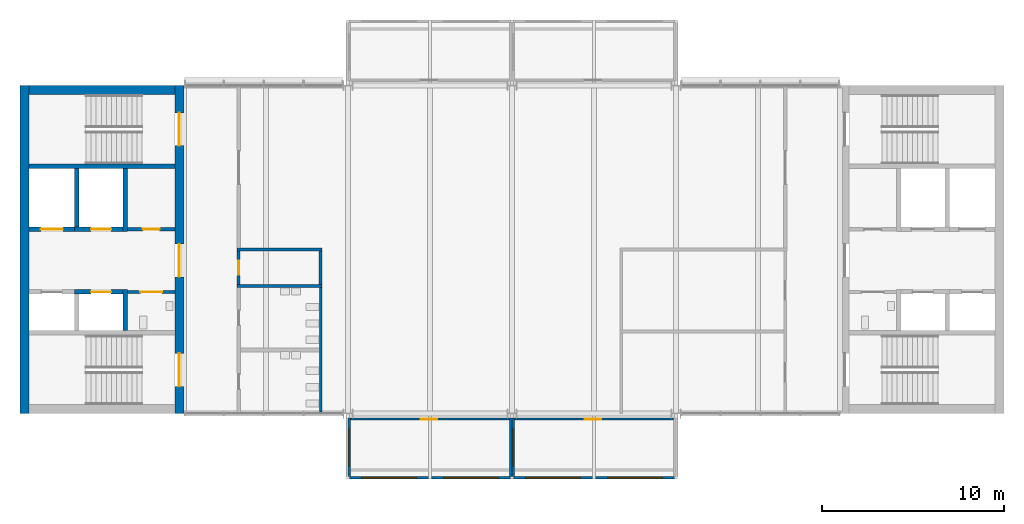
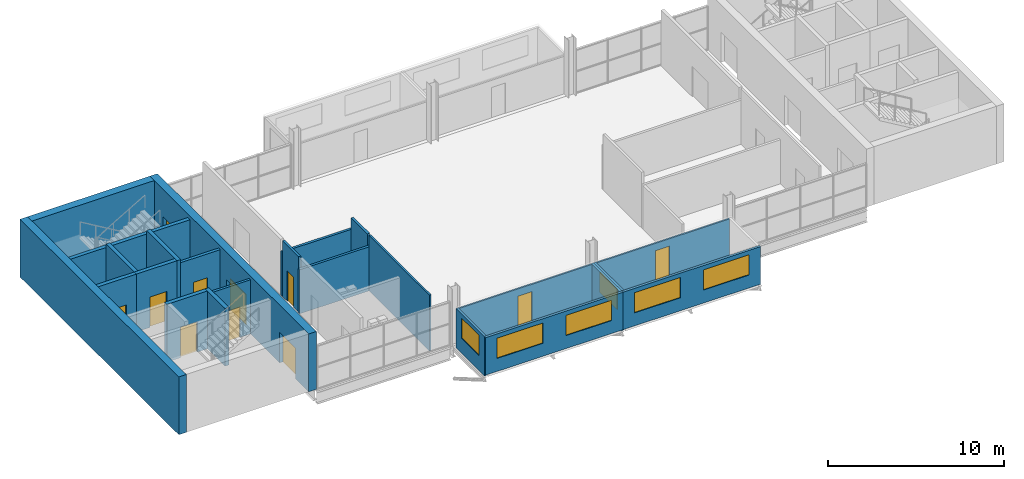
# One storey, part 5 of 10: 24 walls, 11 doors, 6 windows, 17 openings.
"""IFC4 building model written with IfcOpenShell, lengths in metres."""

from ifc_helpers import new_model, si_unit, direction, frame, frame_2d, origin, place, context, subcontext, project, spatial, rectangle, extrude, material, layer, layer_set, type_object, element, fill, save


model = new_model("IFC4")

# Units and contexts
model_context = context("Model", 3, precision=1e-05, world=origin(), true_north=direction((0.0, 1.0)))
body_context = subcontext(model_context, "Body", "Model", "MODEL_VIEW")
ifc_project = project(units=[si_unit("LENGTHUNIT", "METRE"), si_unit("AREAUNIT", "SQUARE_METRE"), si_unit("VOLUMEUNIT", "CUBIC_METRE"), si_unit("PLANEANGLEUNIT", "RADIAN"), si_unit("MASSUNIT", "GRAM", prefix="KILO")], contexts=[model_context])

# Site, building, storey
site_placement = place(None, origin())
site = spatial("IfcSite", under=ifc_project, at=site_placement, CompositionType="ELEMENT")
building_placement = place(site_placement, origin())
building = spatial("IfcBuilding", under=site, at=building_placement, Name="Corbel Yard City Hall", CompositionType="ELEMENT")
storey_placement = place(building_placement, frame((0.0, 0.0, 19.199951171875)))
storey = spatial("IfcBuildingStorey", under=building, at=storey_placement, Name="L04", CompositionType="ELEMENT", Elevation=19.199951171875)

# Walls
ifc_material_1 = material(Name="Concrete N40 (40 MPa)", Category="concrete")
ifc_layer_1 = layer(ifc_material_1, 0.25)
ifc_layer_set_1 = layer_set([ifc_layer_1], Name="Concrete N40 (40 MPa)")
wall_type_1 = type_object("IfcWallType", Name="IW2", PredefinedType="SOLIDWALL", material=ifc_layer_set_1)
wall_1_placement = place(storey_placement, frame((8.5, 112.574951171875, 0.0), z_axis=(0.0, 0.0, 1.0), x_axis=(-1.0, 0.0, 0.0)))
element("IfcWall", 1, at=wall_1_placement, inside=storey, type_object=wall_type_1, Name="Stair enclosure wall", PredefinedType="SOLIDWALL", context=body_context, shape_type="SweptSolid", body=[
    extrude(rectangle(XDim=8.0, YDim=0.25, at=frame_2d((4.0, 0.0))), origin(), (0.0, 0.0, 1.0), 3.75),
])
wall_2_placement = place(storey_placement, frame((5.77490234375, 103.550048828125, 0.0), z_axis=(0.0, 0.0, 1.0), x_axis=(0.0, 1.0, 0.0)))
element("IfcWall", 2, at=wall_2_placement, inside=storey, type_object=wall_type_1, Name="Lift LP22 shaft wall", PredefinedType="SOLIDWALL", context=body_context, shape_type="SweptSolid", body=[
    extrude(rectangle(XDim=2.25, YDim=0.25, at=frame_2d((1.125, 0.0))), origin(), (0.0, 0.0, 1.0), 4.0),
])

# Wall, opening, door
wall_3_placement = place(storey_placement, frame((5.64990234375, 105.675048828125, 0.0), z_axis=(0.0, 0.0, 1.0), x_axis=(-1.0, 0.0, 0.0)))
wall_3 = element("IfcWall", 3, at=wall_3_placement, inside=storey, type_object=wall_type_1, Name="Lift LP22 shaft wall", PredefinedType="SOLIDWALL", context=body_context, shape_type="SweptSolid", body=[
    extrude(rectangle(XDim=2.64990234375, YDim=0.25, at=frame_2d((1.324951171875, 0.0))), origin(), (0.0, 0.0, 1.0), 4.0),
])
opening_1_placement = place(wall_3_placement, frame((0.64990234375, 0.0, 0.0)))
opening_1 = element("IfcOpeningElement", 4, at=opening_1_placement, cuts=wall_3, Name="Opening T1-005", PredefinedType="OPENING", context=body_context, shape_type="SweptSolid", body=[
    extrude(rectangle(XDim=1.10009765625, YDim=2.10009765625, at=frame_2d((0.550048828125, 1.050048828125))), frame((0.0, 0.135009765625, 0.0), z_axis=(0.0, -1.0, 0.0), x_axis=(1.0, 0.0, 0.0)), (0.0, 0.0, 1.0), 0.27001953125),
])
ifc_material_2 = material(Name="Stainless steel Grade 316", Category="steel")
door_type_1 = type_object("IfcDoorType", Name="LD1", OperationType="DOUBLE_DOOR_SLIDING", PredefinedType="DOOR", material=ifc_material_2)
door_1_placement = place(opening_1_placement, origin())
door_1 = element("IfcDoor", 5, at=door_1_placement, inside=storey, type_object=door_type_1, Name="Lift LP22 landing door", OperationType="DOUBLE_DOOR_SLIDING", OverallHeight=2.10009765625, OverallWidth=1.10009765625, PredefinedType="DOOR", context=body_context, shape_type="SweptSolid", body=[
    extrude(rectangle(XDim=1.10009765625, YDim=2.10009765625, at=frame_2d((0.550048828125, 1.050048828125))), frame((0.0, 0.02490234375, 0.0), z_axis=(0.0, -1.0, 0.0), x_axis=(1.0, 0.0, 0.0)), (0.0, 0.0, 1.0), 0.050048828125),
])
fill(opening_1, door_1)

# Walls
wall_4_placement = place(storey_placement, frame((5.77490234375, 109.0, 0.0), z_axis=(0.0, 0.0, 1.0), x_axis=(0.0, 1.0, 0.0)))
element("IfcWall", 6, at=wall_4_placement, inside=storey, type_object=wall_type_1, Name="Lift LP24 shaft wall", PredefinedType="SOLIDWALL", context=body_context, shape_type="SweptSolid", body=[
    extrude(rectangle(XDim=3.449951171875, YDim=0.25, at=frame_2d((1.72509765625, 0.0))), origin(), (0.0, 0.0, 1.0), 4.0),
])
wall_5_placement = place(storey_placement, frame((3.125, 109.25, 0.0), z_axis=(0.0, 0.0, 1.0), x_axis=(0.0, 1.0, 0.0)))
element("IfcWall", 7, at=wall_5_placement, inside=storey, type_object=wall_type_1, Name="Lift LP24 shaft wall", PredefinedType="SOLIDWALL", context=body_context, shape_type="SweptSolid", body=[
    extrude(rectangle(XDim=3.199951171875, YDim=0.25, at=frame_2d((1.60009765625, 0.0))), origin(), (0.0, 0.0, 1.0), 4.0),
])

# Wall, opening, door
wall_6_placement = place(storey_placement, frame((5.64990234375, 109.125, 0.0), z_axis=(0.0, 0.0, 1.0), x_axis=(-1.0, 0.0, 0.0)))
wall_6 = element("IfcWall", 8, at=wall_6_placement, inside=storey, type_object=wall_type_1, Name="Lift LP24 shaft wall", PredefinedType="SOLIDWALL", context=body_context, shape_type="SweptSolid", body=[
    extrude(rectangle(XDim=2.64990234375, YDim=0.25, at=frame_2d((1.324951171875, 0.0))), origin(), (0.0, 0.0, 1.0), 4.0),
])
opening_2_placement = place(wall_6_placement, frame((0.64990234375, 0.0, 0.0)))
opening_2 = element("IfcOpeningElement", 9, at=opening_2_placement, cuts=wall_6, Name="Opening T1-007", PredefinedType="OPENING", context=body_context, shape_type="SweptSolid", body=[
    extrude(rectangle(XDim=1.10009765625, YDim=2.10009765625, at=frame_2d((0.550048828125, 1.050048828125))), frame((0.0, 0.135009765625, 0.0), z_axis=(0.0, -1.0, 0.0), x_axis=(1.0, 0.0, 0.0)), (0.0, 0.0, 1.0), 0.27001953125),
])
door_2_placement = place(opening_2_placement, origin())
door_2 = element("IfcDoor", 10, at=door_2_placement, inside=storey, type_object=door_type_1, Name="Lift LP24 landing door", OperationType="DOUBLE_DOOR_SLIDING", OverallHeight=2.10009765625, OverallWidth=1.10009765625, PredefinedType="DOOR", context=body_context, shape_type="SweptSolid", body=[
    extrude(rectangle(XDim=1.10009765625, YDim=2.10009765625, at=frame_2d((0.550048828125, 1.050048828125))), frame((0.0, 0.02490234375, 0.0), z_axis=(0.0, -1.0, 0.0), x_axis=(1.0, 0.0, 0.0)), (0.0, 0.0, 1.0), 0.050048828125),
])
fill(opening_2, door_2)

wall_7_placement = place(storey_placement, frame((3.0, 109.125, 0.0), z_axis=(0.0, 0.0, 1.0), x_axis=(-1.0, 0.0, 0.0)))
wall_7 = element("IfcWall", 11, at=wall_7_placement, inside=storey, type_object=wall_type_1, Name="Lift LF1 shaft wall", PredefinedType="SOLIDWALL", context=body_context, shape_type="SweptSolid", body=[
    extrude(rectangle(XDim=2.5, YDim=0.25, at=frame_2d((1.25, 0.0))), origin(), (0.0, 0.0, 1.0), 4.0),
])
opening_3_placement = place(wall_7_placement, frame((0.64990234375, 0.0, 0.0)))
opening_3 = element("IfcOpeningElement", 12, at=opening_3_placement, cuts=wall_7, Name="Opening T1-008", PredefinedType="OPENING", context=body_context, shape_type="SweptSolid", body=[
    extrude(rectangle(XDim=1.199951171875, YDim=2.10009765625, at=frame_2d((0.60009765625, 1.050048828125))), frame((0.0, 0.135009765625, 0.0), z_axis=(0.0, -1.0, 0.0), x_axis=(1.0, 0.0, 0.0)), (0.0, 0.0, 1.0), 0.27001953125),
])
door_type_2 = type_object("IfcDoorType", Name="LD2", OperationType="DOUBLE_DOOR_SLIDING", PredefinedType="DOOR", material=ifc_material_2)
door_3_placement = place(opening_3_placement, origin())
door_3 = element("IfcDoor", 13, at=door_3_placement, inside=storey, type_object=door_type_2, Name="Lift LF1 landing door", OperationType="DOUBLE_DOOR_SLIDING", OverallHeight=2.10009765625, OverallWidth=1.199951171875, PredefinedType="DOOR", context=body_context, shape_type="SweptSolid", body=[
    extrude(rectangle(XDim=1.199951171875, YDim=2.10009765625, at=frame_2d((0.60009765625, 1.050048828125))), frame((0.0, 0.02490234375, 0.0), z_axis=(0.0, -1.0, 0.0), x_axis=(1.0, 0.0, 0.0)), (0.0, 0.0, 1.0), 0.050048828125),
])
fill(opening_3, door_3)

# Wall, openings, windows
ifc_material_3 = material(Name="Anodised aluminium", Category="aluminium")
ifc_layer_2 = layer(ifc_material_3, 0.02392578125)
ifc_material_4 = material(Name="Steel Grade G550 (550 MPa yield)", Category="steel")
ifc_layer_3 = layer(ifc_material_4, 0.10009765625)
ifc_material_5 = material(Name="Gypsum plasterboard", Category="gypsum")
ifc_layer_4 = layer(ifc_material_5, 0.02587890625)
ifc_layer_set_2 = layer_set([ifc_layer_2, ifc_layer_3, ifc_layer_4], Name="Steel Grade G550 (550 MPa yield)")
wall_type_2 = type_object("IfcWallType", Name="PD1", PredefinedType="SOLIDWALL", material=ifc_layer_set_2)
wall_8_placement = place(storey_placement, frame((18.0, 95.47509765625, 0.0), z_axis=(0.0, 0.0, 1.0), x_axis=(1.0, 0.0, 0.0)))
wall_8 = element("IfcWall", 14, at=wall_8_placement, inside=storey, type_object=wall_type_2, Name="Pod outer wall L04", PredefinedType="SOLIDWALL", context=body_context, shape_type="SweptSolid", body=[
    extrude(rectangle(XDim=9.0, YDim=0.14990234375, at=frame_2d((4.5, 0.0))), origin(), (0.0, 0.0, 1.0), 2.60009765625),
])
opening_4_placement = place(wall_8_placement, frame((0.75, 0.0, 0.89990234375)))
opening_4 = element("IfcOpeningElement", 15, at=opening_4_placement, cuts=wall_8, Name="Opening WN5", PredefinedType="OPENING", context=body_context, shape_type="SweptSolid", body=[
    extrude(rectangle(XDim=3.0, YDim=1.39990234375, at=frame_2d((1.5, 0.699951171875))), frame((0.0, 0.0849609375, 0.0), z_axis=(0.0, -1.0, 0.0), x_axis=(1.0, 0.0, 0.0)), (0.0, 0.0, 1.0), 0.169921875),
])
opening_5_placement = place(wall_8_placement, frame((5.25, 0.0, 0.89990234375)))
opening_5 = element("IfcOpeningElement", 16, at=opening_5_placement, cuts=wall_8, Name="Opening WN5", PredefinedType="OPENING", context=body_context, shape_type="SweptSolid", body=[
    extrude(rectangle(XDim=3.0, YDim=1.39990234375, at=frame_2d((1.5, 0.699951171875))), frame((0.0, 0.0849609375, 0.0), z_axis=(0.0, -1.0, 0.0), x_axis=(1.0, 0.0, 0.0)), (0.0, 0.0, 1.0), 0.169921875),
])
ifc_material_6 = material(Name="Aluminium frame, double glazed low-e glass", Category="aluminium")
window_type_1 = type_object("IfcWindowType", Name="WN5", PartitioningType="SINGLE_PANEL", PredefinedType="WINDOW", material=ifc_material_6)
window_1_placement = place(opening_4_placement, origin())
window_1 = element("IfcWindow", 17, at=window_1_placement, inside=storey, type_object=window_type_1, Name="Window WN5 L04", OverallHeight=1.39990234375, OverallWidth=3.0, PartitioningType="SINGLE_PANEL", PredefinedType="WINDOW", context=body_context, shape_type="SweptSolid", body=[
    extrude(rectangle(XDim=3.0, YDim=1.39990234375, at=frame_2d((1.5, 0.699951171875))), frame((0.0, 0.030029296875, 0.0), z_axis=(0.0, -1.0, 0.0), x_axis=(1.0, 0.0, 0.0)), (0.0, 0.0, 1.0), 0.06005859375),
])
fill(opening_4, window_1)
window_2_placement = place(opening_5_placement, origin())
window_2 = element("IfcWindow", 18, at=window_2_placement, inside=storey, type_object=window_type_1, Name="Window WN5 L04", OverallHeight=1.39990234375, OverallWidth=3.0, PartitioningType="SINGLE_PANEL", PredefinedType="WINDOW", context=body_context, shape_type="SweptSolid", body=[
    extrude(rectangle(XDim=3.0, YDim=1.39990234375, at=frame_2d((1.5, 0.699951171875))), frame((0.0, 0.030029296875, 0.0), z_axis=(0.0, -1.0, 0.0), x_axis=(1.0, 0.0, 0.0)), (0.0, 0.0, 1.0), 0.06005859375),
])
fill(opening_5, window_2)

wall_9_placement = place(storey_placement, frame((27.0, 95.47509765625, 0.0), z_axis=(0.0, 0.0, 1.0), x_axis=(1.0, 0.0, 0.0)))
wall_9 = element("IfcWall", 19, at=wall_9_placement, inside=storey, type_object=wall_type_2, Name="Pod outer wall L04", PredefinedType="SOLIDWALL", context=body_context, shape_type="SweptSolid", body=[
    extrude(rectangle(XDim=9.0, YDim=0.14990234375, at=frame_2d((4.5, 0.0))), origin(), (0.0, 0.0, 1.0), 2.60009765625),
])
opening_6_placement = place(wall_9_placement, frame((0.75, 0.0, 0.89990234375)))
opening_6 = element("IfcOpeningElement", 20, at=opening_6_placement, cuts=wall_9, Name="Opening WN5", PredefinedType="OPENING", context=body_context, shape_type="SweptSolid", body=[
    extrude(rectangle(XDim=3.0, YDim=1.39990234375, at=frame_2d((1.5, 0.699951171875))), frame((0.0, 0.0849609375, 0.0), z_axis=(0.0, -1.0, 0.0), x_axis=(1.0, 0.0, 0.0)), (0.0, 0.0, 1.0), 0.169921875),
])
opening_7_placement = place(wall_9_placement, frame((5.25, 0.0, 0.89990234375)))
opening_7 = element("IfcOpeningElement", 21, at=opening_7_placement, cuts=wall_9, Name="Opening WN5", PredefinedType="OPENING", context=body_context, shape_type="SweptSolid", body=[
    extrude(rectangle(XDim=3.0, YDim=1.39990234375, at=frame_2d((1.5, 0.699951171875))), frame((0.0, 0.0849609375, 0.0), z_axis=(0.0, -1.0, 0.0), x_axis=(1.0, 0.0, 0.0)), (0.0, 0.0, 1.0), 0.169921875),
])
window_3_placement = place(opening_6_placement, origin())
window_3 = element("IfcWindow", 22, at=window_3_placement, inside=storey, type_object=window_type_1, Name="Window WN5 L04", OverallHeight=1.39990234375, OverallWidth=3.0, PartitioningType="SINGLE_PANEL", PredefinedType="WINDOW", context=body_context, shape_type="SweptSolid", body=[
    extrude(rectangle(XDim=3.0, YDim=1.39990234375, at=frame_2d((1.5, 0.699951171875))), frame((0.0, 0.030029296875, 0.0), z_axis=(0.0, -1.0, 0.0), x_axis=(1.0, 0.0, 0.0)), (0.0, 0.0, 1.0), 0.06005859375),
])
fill(opening_6, window_3)
window_4_placement = place(opening_7_placement, origin())
window_4 = element("IfcWindow", 23, at=window_4_placement, inside=storey, type_object=window_type_1, Name="Window WN5 L04", OverallHeight=1.39990234375, OverallWidth=3.0, PartitioningType="SINGLE_PANEL", PredefinedType="WINDOW", context=body_context, shape_type="SweptSolid", body=[
    extrude(rectangle(XDim=3.0, YDim=1.39990234375, at=frame_2d((1.5, 0.699951171875))), frame((0.0, 0.030029296875, 0.0), z_axis=(0.0, -1.0, 0.0), x_axis=(1.0, 0.0, 0.0)), (0.0, 0.0, 1.0), 0.06005859375),
])
fill(opening_7, window_4)

# Wall, opening, door
ifc_layer_5 = layer(ifc_material_5, 0.01806640625)
ifc_layer_6 = layer(ifc_material_4, 0.06396484375)
ifc_layer_7 = layer(ifc_material_5, 0.01806640625)
ifc_layer_set_3 = layer_set([ifc_layer_5, ifc_layer_6, ifc_layer_7], Name="Steel Grade G550 (550 MPa yield)")
wall_type_3 = type_object("IfcWallType", Name="PD2", PredefinedType="PARTITIONING", material=ifc_layer_set_3)
wall_10_placement = place(storey_placement, frame((18.14990234375, 98.699951171875, 0.0), z_axis=(0.0, 0.0, 1.0), x_axis=(1.0, 0.0, 0.0)))
wall_10 = element("IfcWall", 24, at=wall_10_placement, inside=storey, type_object=wall_type_3, Name="Pod inner wall L04", PredefinedType="PARTITIONING", context=body_context, shape_type="SweptSolid", body=[
    extrude(rectangle(XDim=8.7001953125, YDim=0.10009765625, at=frame_2d((4.35009765625, 0.0))), origin(), (0.0, 0.0, 1.0), 2.60009765625),
])
opening_8_placement = place(wall_10_placement, frame((3.85009765625, 0.0, 0.0)))
opening_8 = element("IfcOpeningElement", 25, at=opening_8_placement, cuts=wall_10, Name="Opening T1-001", PredefinedType="OPENING", context=body_context, shape_type="SweptSolid", body=[
    extrude(rectangle(XDim=0.89990234375, YDim=2.10009765625, at=frame_2d((0.449951171875, 1.050048828125))), frame((0.0, 0.06005859375, 0.0), z_axis=(0.0, -1.0, 0.0), x_axis=(1.0, 0.0, 0.0)), (0.0, 0.0, 1.0), 0.1201171875),
])
ifc_material_7 = material(Name="Timber, solid core", Category="wood")
door_type_3 = type_object("IfcDoorType", Name="XD6", OperationType="SINGLE_SWING_LEFT", PredefinedType="DOOR", material=ifc_material_7)
door_4_placement = place(opening_8_placement, frame((0.89990234375, 0.0, 0.0), z_axis=(0.0, 0.0, 1.0), x_axis=(-1.0, 0.0, 0.0)))
door_4 = element("IfcDoor", 26, at=door_4_placement, inside=storey, type_object=door_type_3, Name="Pod door L04", OperationType="SINGLE_SWING_RIGHT", OverallHeight=2.10009765625, OverallWidth=0.89990234375, PredefinedType="DOOR", context=body_context, shape_type="SweptSolid", body=[
    extrude(rectangle(XDim=0.89990234375, YDim=2.10009765625, at=frame_2d((0.449951171875, 1.050048828125))), frame((0.0, 0.02490234375, 0.0), z_axis=(0.0, -1.0, 0.0), x_axis=(1.0, 0.0, 0.0)), (0.0, 0.0, 1.0), 0.050048828125),
])
fill(opening_8, door_4)

wall_11_placement = place(storey_placement, frame((27.14990234375, 98.699951171875, 0.0), z_axis=(0.0, 0.0, 1.0), x_axis=(1.0, 0.0, 0.0)))
wall_11 = element("IfcWall", 27, at=wall_11_placement, inside=storey, type_object=wall_type_3, Name="Pod inner wall L04", PredefinedType="PARTITIONING", context=body_context, shape_type="SweptSolid", body=[
    extrude(rectangle(XDim=8.7001953125, YDim=0.10009765625, at=frame_2d((4.35009765625, 0.0))), origin(), (0.0, 0.0, 1.0), 2.60009765625),
])
opening_9_placement = place(wall_11_placement, frame((3.85009765625, 0.0, 0.0)))
opening_9 = element("IfcOpeningElement", 28, at=opening_9_placement, cuts=wall_11, Name="Opening T1-002", PredefinedType="OPENING", context=body_context, shape_type="SweptSolid", body=[
    extrude(rectangle(XDim=0.89990234375, YDim=2.10009765625, at=frame_2d((0.449951171875, 1.050048828125))), frame((0.0, 0.06005859375, 0.0), z_axis=(0.0, -1.0, 0.0), x_axis=(1.0, 0.0, 0.0)), (0.0, 0.0, 1.0), 0.1201171875),
])
door_5_placement = place(opening_9_placement, frame((0.89990234375, 0.0, 0.0), z_axis=(0.0, 0.0, 1.0), x_axis=(-1.0, 0.0, 0.0)))
door_5 = element("IfcDoor", 29, at=door_5_placement, inside=storey, type_object=door_type_3, Name="Pod door L04", OperationType="SINGLE_SWING_RIGHT", OverallHeight=2.10009765625, OverallWidth=0.89990234375, PredefinedType="DOOR", context=body_context, shape_type="SweptSolid", body=[
    extrude(rectangle(XDim=0.89990234375, YDim=2.10009765625, at=frame_2d((0.449951171875, 1.050048828125))), frame((0.0, 0.02490234375, 0.0), z_axis=(0.0, -1.0, 0.0), x_axis=(1.0, 0.0, 0.0)), (0.0, 0.0, 1.0), 0.050048828125),
])
fill(opening_9, door_5)

# Wall, opening, window
ifc_layer_8 = layer(ifc_material_3, 0.02392578125)
ifc_layer_9 = layer(ifc_material_4, 0.10009765625)
ifc_layer_10 = layer(ifc_material_5, 0.02587890625)
ifc_layer_set_4 = layer_set([ifc_layer_8, ifc_layer_9, ifc_layer_10], Name="Steel Grade G550 (550 MPa yield)")
wall_type_4 = type_object("IfcWallType", Name="PD3", PredefinedType="SOLIDWALL", material=ifc_layer_set_4)
wall_12_placement = place(storey_placement, frame((18.074951171875, 95.550048828125, -0.14990234375), z_axis=(0.0, 0.0, 1.0), x_axis=(0.0, 1.0, 0.0)))
wall_12 = element("IfcWall", 30, at=wall_12_placement, inside=storey, type_object=wall_type_4, Name="Pod side wall L04", PredefinedType="SOLIDWALL", context=body_context, shape_type="SweptSolid", body=[
    extrude(rectangle(XDim=3.199951171875, YDim=0.14990234375, at=frame_2d((1.60009765625, 0.0))), origin(), (0.0, 0.0, 1.0), 2.75),
])
opening_10_placement = place(wall_12_placement, frame((0.60009765625, 0.0, 1.050048828125)))
opening_10 = element("IfcOpeningElement", 31, at=opening_10_placement, cuts=wall_12, Name="Opening WN6", PredefinedType="OPENING", context=body_context, shape_type="SweptSolid", body=[
    extrude(rectangle(XDim=2.0, YDim=1.39990234375, at=frame_2d((1.0, 0.699951171875))), frame((0.0, 0.0849609375, 0.0), z_axis=(0.0, -1.0, 0.0), x_axis=(1.0, 0.0, 0.0)), (0.0, 0.0, 1.0), 0.169921875),
])
window_type_2 = type_object("IfcWindowType", Name="WN6", PartitioningType="SINGLE_PANEL", PredefinedType="WINDOW", material=ifc_material_6)
window_5_placement = place(opening_10_placement, origin())
window_5 = element("IfcWindow", 32, at=window_5_placement, inside=storey, type_object=window_type_2, Name="Window WN6 L04", OverallHeight=1.39990234375, OverallWidth=2.0, PartitioningType="SINGLE_PANEL", PredefinedType="WINDOW", context=body_context, shape_type="SweptSolid", body=[
    extrude(rectangle(XDim=2.0, YDim=1.39990234375, at=frame_2d((1.0, 0.699951171875))), frame((0.0, 0.030029296875, 0.0), z_axis=(0.0, -1.0, 0.0), x_axis=(1.0, 0.0, 0.0)), (0.0, 0.0, 1.0), 0.06005859375),
])
fill(opening_10, window_5)

# Wall
wall_13_placement = place(storey_placement, frame((26.925048828125, 95.550048828125, -0.14990234375), z_axis=(0.0, 0.0, 1.0), x_axis=(0.0, 1.0, 0.0)))
element("IfcWall", 33, at=wall_13_placement, inside=storey, type_object=wall_type_4, Name="Pod side wall L04", PredefinedType="SOLIDWALL", context=body_context, shape_type="SweptSolid", body=[
    extrude(rectangle(XDim=3.199951171875, YDim=0.14990234375, at=frame_2d((1.60009765625, 0.0))), origin(), (0.0, 0.0, 1.0), 2.75),
])

# Wall, opening, window
wall_14_placement = place(storey_placement, frame((27.074951171875, 95.550048828125, -0.14990234375), z_axis=(0.0, 0.0, 1.0), x_axis=(0.0, 1.0, 0.0)))
wall_14 = element("IfcWall", 34, at=wall_14_placement, inside=storey, type_object=wall_type_4, Name="Pod side wall L04", PredefinedType="SOLIDWALL", context=body_context, shape_type="SweptSolid", body=[
    extrude(rectangle(XDim=3.199951171875, YDim=0.14990234375, at=frame_2d((1.60009765625, 0.0))), origin(), (0.0, 0.0, 1.0), 2.75),
])
opening_11_placement = place(wall_14_placement, frame((0.60009765625, 0.0, 1.050048828125)))
opening_11 = element("IfcOpeningElement", 35, at=opening_11_placement, cuts=wall_14, Name="Opening WN6", PredefinedType="OPENING", context=body_context, shape_type="SweptSolid", body=[
    extrude(rectangle(XDim=2.0, YDim=1.39990234375, at=frame_2d((1.0, 0.699951171875))), frame((0.0, 0.0849609375, 0.0), z_axis=(0.0, -1.0, 0.0), x_axis=(1.0, 0.0, 0.0)), (0.0, 0.0, 1.0), 0.169921875),
])
window_6_placement = place(opening_11_placement, origin())
window_6 = element("IfcWindow", 36, at=window_6_placement, inside=storey, type_object=window_type_2, Name="Window WN6 L04", OverallHeight=1.39990234375, OverallWidth=2.0, PartitioningType="SINGLE_PANEL", PredefinedType="WINDOW", context=body_context, shape_type="SweptSolid", body=[
    extrude(rectangle(XDim=2.0, YDim=1.39990234375, at=frame_2d((1.0, 0.699951171875))), frame((0.0, 0.030029296875, 0.0), z_axis=(0.0, -1.0, 0.0), x_axis=(1.0, 0.0, 0.0)), (0.0, 0.0, 1.0), 0.06005859375),
])
fill(opening_11, window_6)

# Wall
ifc_layer_11 = layer(ifc_material_5, 0.028076171875)
ifc_layer_12 = layer(ifc_material_4, 0.06396484375)
ifc_layer_13 = layer(ifc_material_5, 0.028076171875)
ifc_layer_set_5 = layer_set([ifc_layer_11, ifc_layer_12, ifc_layer_13], Name="Steel Grade G550 (550 MPa yield)")
wall_type_5 = type_object("IfcWallType", Name="PT1", PredefinedType="PARTITIONING", material=ifc_layer_set_5)
wall_15_placement = place(storey_placement, frame((16.5, 99.074951171875, 0.0), z_axis=(0.0, 0.0, 1.0), x_axis=(0.0, 1.0, 0.0)))
element("IfcWall", 37, at=wall_15_placement, inside=storey, type_object=wall_type_5, Name="Partition", PredefinedType="PARTITIONING", context=body_context, shape_type="SweptSolid", body=[
    extrude(rectangle(XDim=6.844970703125, YDim=0.1201171875, at=frame_2d((3.42236328125, 0.0))), origin(), (0.0, 0.0, 1.0), 3.85009765625),
])

# Wall, opening, door
ifc_layer_14 = layer(ifc_material_5, 0.031982421875)
ifc_layer_15 = layer(ifc_material_4, 0.095947265625)
ifc_layer_16 = layer(ifc_material_5, 0.031982421875)
ifc_layer_set_6 = layer_set([ifc_layer_14, ifc_layer_15, ifc_layer_16], Name="Steel Grade G550 (550 MPa yield)")
wall_type_6 = type_object("IfcWallType", Name="PT3", PredefinedType="PARTITIONING", material=ifc_layer_set_6)
wall_16_placement = place(storey_placement, frame((8.5, 105.675048828125, 0.0), z_axis=(0.0, 0.0, 1.0), x_axis=(-1.0, 0.0, 0.0)))
wall_16 = element("IfcWall", 38, at=wall_16_placement, inside=storey, type_object=wall_type_6, Name="Accessible WC wall", PredefinedType="PARTITIONING", context=body_context, shape_type="SweptSolid", body=[
    extrude(rectangle(XDim=2.60009765625, YDim=0.159912109375, at=frame_2d((1.300048828125, 0.0))), origin(), (0.0, 0.0, 1.0), 3.75),
])
opening_12_placement = place(wall_16_placement, frame((0.699951171875, 0.0, 0.0)))
opening_12 = element("IfcOpeningElement", 39, at=opening_12_placement, cuts=wall_16, Name="Opening T1-023", PredefinedType="OPENING", context=body_context, shape_type="SweptSolid", body=[
    extrude(rectangle(XDim=1.199951171875, YDim=2.10009765625, at=frame_2d((0.60009765625, 1.050048828125))), frame((0.0, 0.08984375, 0.0), z_axis=(0.0, -1.0, 0.0), x_axis=(1.0, 0.0, 0.0)), (0.0, 0.0, 1.0), 0.179931640625),
])
ifc_material_8 = material(Name="Steel Grade G250", Category="steel")
door_type_4 = type_object("IfcDoorType", Name="FD7", OperationType="SINGLE_SWING_LEFT", PredefinedType="DOOR", material=ifc_material_8)
door_6_placement = place(opening_12_placement, origin())
door_6 = element("IfcDoor", 40, at=door_6_placement, inside=storey, type_object=door_type_4, Name="Door accessible WC West", OperationType="SINGLE_SWING_LEFT", OverallHeight=2.10009765625, OverallWidth=1.199951171875, PredefinedType="DOOR", context=body_context, shape_type="SweptSolid", body=[
    extrude(rectangle(XDim=1.199951171875, YDim=2.10009765625, at=frame_2d((0.60009765625, 1.050048828125))), frame((0.0, 0.02490234375, 0.0), z_axis=(0.0, -1.0, 0.0), x_axis=(1.0, 0.0, 0.0)), (0.0, 0.0, 1.0), 0.050048828125),
])
fill(opening_12, door_6)

# Walls
for number, where, z_axis, x_axis, name in (
    (41, (11.89990234375, 106.0, 0.0), (0.0, 0.0, 1.0), (1.0, 0.0, 0.0), "Fire-resisting wall"),
    (42, (11.89990234375, 108.0, 0.0), (0.0, 0.0, 1.0), (1.0, 0.0, 0.0), "Fire-resisting wall"),
):
    element("IfcWall", number, at=place(storey_placement, frame(where, z_axis=z_axis, x_axis=x_axis)), inside=storey, type_object=wall_type_6, Name=name, PredefinedType="PARTITIONING", context=body_context, shape_type="SweptSolid", body=[
        extrude(rectangle(XDim=4.68017578125, YDim=0.159912109375, at=frame_2d((2.340087890625, 0.0))), origin(), (0.0, 0.0, 1.0), 3.050048828125),
    ])

# Wall, opening, door
wall_17_placement = place(storey_placement, frame((12.0, 106.080078125, 0.0), z_axis=(0.0, 0.0, 1.0), x_axis=(0.0, 1.0, 0.0)))
wall_17 = element("IfcWall", 43, at=wall_17_placement, inside=storey, type_object=wall_type_6, Name="Fire-resisting wall", PredefinedType="PARTITIONING", context=body_context, shape_type="SweptSolid", body=[
    extrude(rectangle(XDim=1.83984375, YDim=0.159912109375, at=frame_2d((0.919921875, 0.0))), origin(), (0.0, 0.0, 1.0), 3.85009765625),
])
opening_13_placement = place(wall_17_placement, frame((0.544921875, 0.0, 0.0)))
opening_13 = element("IfcOpeningElement", 44, at=opening_13_placement, cuts=wall_17, Name="Opening T1-015", PredefinedType="OPENING", context=body_context, shape_type="SweptSolid", body=[
    extrude(rectangle(XDim=0.75, YDim=2.10009765625, at=frame_2d((0.375, 1.050048828125))), frame((0.0, 0.08984375, 0.0), z_axis=(0.0, -1.0, 0.0), x_axis=(1.0, 0.0, 0.0)), (0.0, 0.0, 1.0), 0.179931640625),
])
door_type_5 = type_object("IfcDoorType", Name="FD42", OperationType="SINGLE_SWING_LEFT", PredefinedType="DOOR", material=ifc_material_8)
door_7_placement = place(opening_13_placement, frame((0.75, 0.0, 0.0), z_axis=(0.0, 0.0, 1.0), x_axis=(-1.0, 0.0, 0.0)))
door_7 = element("IfcDoor", 45, at=door_7_placement, inside=storey, type_object=door_type_5, Name="Door Cleaners' Room 0405", OperationType="SINGLE_SWING_RIGHT", OverallHeight=2.10009765625, OverallWidth=0.75, PredefinedType="DOOR", context=body_context, shape_type="SweptSolid", body=[
    extrude(rectangle(XDim=0.75, YDim=2.10009765625, at=frame_2d((0.375, 1.050048828125))), frame((0.0, 0.02490234375, 0.0), z_axis=(0.0, -1.0, 0.0), x_axis=(1.0, 0.0, 0.0)), (0.0, 0.0, 1.0), 0.050048828125),
])
fill(opening_13, door_7)

# Wall
wall_18_placement = place(storey_placement, frame((16.5, 106.080078125, 0.0), z_axis=(0.0, 0.0, 1.0), x_axis=(0.0, 1.0, 0.0)))
element("IfcWall", 46, at=wall_18_placement, inside=storey, type_object=wall_type_6, Name="Fire-resisting wall", PredefinedType="PARTITIONING", context=body_context, shape_type="SweptSolid", body=[
    extrude(rectangle(XDim=1.83984375, YDim=0.159912109375, at=frame_2d((0.919921875, 0.0))), origin(), (0.0, 0.0, 1.0), 3.85009765625),
])

# Wall, opening, door
ifc_material_9 = material(Name="Concrete block", Category="concrete")
ifc_layer_17 = layer(ifc_material_9, 0.18994140625)
ifc_layer_set_7 = layer_set([ifc_layer_17], Name="Concrete block")
wall_type_7 = type_object("IfcWallType", Name="PT4", PredefinedType="PARTITIONING", material=ifc_layer_set_7)
wall_19_placement = place(storey_placement, frame((8.5, 109.125, 0.0), z_axis=(0.0, 0.0, 1.0), x_axis=(-1.0, 0.0, 0.0)))
wall_19 = element("IfcWall", 47, at=wall_19_placement, inside=storey, type_object=wall_type_7, Name="Riser wall", PredefinedType="PARTITIONING", context=body_context, shape_type="SweptSolid", body=[
    extrude(rectangle(XDim=2.60009765625, YDim=0.18994140625, at=frame_2d((1.300048828125, 0.0))), origin(), (0.0, 0.0, 1.0), 3.75),
])
opening_14_placement = place(wall_19_placement, frame((0.840087890625, 0.0, 0.0)))
opening_14 = element("IfcOpeningElement", 48, at=opening_14_placement, cuts=wall_19, Name="Opening T1-024", PredefinedType="OPENING", context=body_context, shape_type="SweptSolid", body=[
    extrude(rectangle(XDim=0.919921875, YDim=2.10009765625, at=frame_2d((0.4599609375, 1.050048828125))), frame((0.0, 0.10498046875, 0.0), z_axis=(0.0, -1.0, 0.0), x_axis=(1.0, 0.0, 0.0)), (0.0, 0.0, 1.0), 0.2099609375),
])
door_type_6 = type_object("IfcDoorType", Name="FS4", OperationType="SINGLE_SWING_LEFT", PredefinedType="DOOR", material=ifc_material_8)
door_8_placement = place(opening_14_placement, frame((0.919921875, 0.0, 0.0), z_axis=(0.0, 0.0, 1.0), x_axis=(-1.0, 0.0, 0.0)))
door_8 = element("IfcDoor", 49, at=door_8_placement, inside=storey, type_object=door_type_6, Name="Door riser West", OperationType="SINGLE_SWING_RIGHT", OverallHeight=2.10009765625, OverallWidth=0.919921875, PredefinedType="DOOR", context=body_context, shape_type="SweptSolid", body=[
    extrude(rectangle(XDim=0.919921875, YDim=2.10009765625, at=frame_2d((0.4599609375, 1.050048828125))), frame((0.0, 0.02490234375, 0.0), z_axis=(0.0, -1.0, 0.0), x_axis=(1.0, 0.0, 0.0)), (0.0, 0.0, 1.0), 0.050048828125),
])
fill(opening_14, door_8)

# Wall
ifc_material_10 = material(Name="Concrete N50 (50 MPa)", Category="concrete")
ifc_layer_18 = layer(ifc_material_10, 0.5)
ifc_layer_set_8 = layer_set([ifc_layer_18], Name="Concrete N50 (50 MPa)")
wall_type_8 = type_object("IfcWallType", Name="Trunk wall 500", PredefinedType="SHEAR", material=ifc_layer_set_8)
wall_20_placement = place(storey_placement, frame((0.25, 99.0, 0.0), z_axis=(0.0, 0.0, 1.0), x_axis=(0.0, 1.0, 0.0)))
element("IfcWall", 50, at=wall_20_placement, inside=storey, type_object=wall_type_8, Name="Trunk W west wall", PredefinedType="SHEAR", context=body_context, shape_type="SweptSolid", body=[
    extrude(rectangle(XDim=18.0, YDim=0.5, at=frame_2d((9.0, 0.0))), origin(), (0.0, 0.0, 1.0), 4.0),
])

# Wall, openings, doors
wall_21_placement = place(storey_placement, frame((8.75, 99.0, 0.0), z_axis=(0.0, 0.0, 1.0), x_axis=(0.0, 1.0, 0.0)))
wall_21 = element("IfcWall", 51, at=wall_21_placement, inside=storey, type_object=wall_type_8, Name="Trunk W east wall", PredefinedType="SHEAR", context=body_context, shape_type="SweptSolid", body=[
    extrude(rectangle(XDim=18.0, YDim=0.5, at=frame_2d((9.0, 0.0))), origin(), (0.0, 0.0, 1.0), 4.0),
])
opening_15_placement = place(wall_21_placement, frame((1.5, 0.0, 0.0)))
opening_15 = element("IfcOpeningElement", 52, at=opening_15_placement, cuts=wall_21, Name="Opening T1-020", PredefinedType="OPENING", context=body_context, shape_type="SweptSolid", body=[
    extrude(rectangle(XDim=1.800048828125, YDim=2.10009765625, at=frame_2d((0.89990234375, 1.050048828125))), frame((0.0, 0.260009765625, 0.0), z_axis=(0.0, -1.0, 0.0), x_axis=(1.0, 0.0, 0.0)), (0.0, 0.0, 1.0), 0.52001953125),
])
opening_16_placement = place(wall_21_placement, frame((14.699951171875, 0.0, 0.0)))
opening_16 = element("IfcOpeningElement", 53, at=opening_16_placement, cuts=wall_21, Name="Opening T1-021", PredefinedType="OPENING", context=body_context, shape_type="SweptSolid", body=[
    extrude(rectangle(XDim=1.800048828125, YDim=2.10009765625, at=frame_2d((0.89990234375, 1.050048828125))), frame((0.0, 0.260009765625, 0.0), z_axis=(0.0, -1.0, 0.0), x_axis=(1.0, 0.0, 0.0)), (0.0, 0.0, 1.0), 0.52001953125),
])
opening_17_placement = place(wall_21_placement, frame((7.5, 0.0, 0.0)))
opening_17 = element("IfcOpeningElement", 54, at=opening_17_placement, cuts=wall_21, Name="Opening T1-022", PredefinedType="OPENING", context=body_context, shape_type="SweptSolid", body=[
    extrude(rectangle(XDim=1.800048828125, YDim=2.10009765625, at=frame_2d((0.89990234375, 1.050048828125))), frame((0.0, 0.260009765625, 0.0), z_axis=(0.0, -1.0, 0.0), x_axis=(1.0, 0.0, 0.0)), (0.0, 0.0, 1.0), 0.52001953125),
])
door_type_7 = type_object("IfcDoorType", Name="FS3", OperationType="DOUBLE_DOOR_SINGLE_SWING", PredefinedType="DOOR", material=ifc_material_8)
door_9_placement = place(opening_15_placement, origin())
door_9 = element("IfcDoor", 55, at=door_9_placement, inside=storey, type_object=door_type_7, Name="Door ST-W1", OperationType="DOUBLE_DOOR_SINGLE_SWING", OverallHeight=2.10009765625, OverallWidth=1.800048828125, PredefinedType="DOOR", context=body_context, shape_type="SweptSolid", body=[
    extrude(rectangle(XDim=1.800048828125, YDim=2.10009765625, at=frame_2d((0.89990234375, 1.050048828125))), frame((0.0, 0.02490234375, 0.0), z_axis=(0.0, -1.0, 0.0), x_axis=(1.0, 0.0, 0.0)), (0.0, 0.0, 1.0), 0.050048828125),
])
fill(opening_15, door_9)
door_10_placement = place(opening_16_placement, origin())
door_10 = element("IfcDoor", 56, at=door_10_placement, inside=storey, type_object=door_type_7, Name="Door ST-W2", OperationType="DOUBLE_DOOR_SINGLE_SWING", OverallHeight=2.10009765625, OverallWidth=1.800048828125, PredefinedType="DOOR", context=body_context, shape_type="SweptSolid", body=[
    extrude(rectangle(XDim=1.800048828125, YDim=2.10009765625, at=frame_2d((0.89990234375, 1.050048828125))), frame((0.0, 0.02490234375, 0.0), z_axis=(0.0, -1.0, 0.0), x_axis=(1.0, 0.0, 0.0)), (0.0, 0.0, 1.0), 0.050048828125),
])
fill(opening_16, door_10)
door_11_placement = place(opening_17_placement, origin())
door_11 = element("IfcDoor", 57, at=door_11_placement, inside=storey, type_object=door_type_7, Name="Door lift lobby West", OperationType="DOUBLE_DOOR_SINGLE_SWING", OverallHeight=2.10009765625, OverallWidth=1.800048828125, PredefinedType="DOOR", context=body_context, shape_type="SweptSolid", body=[
    extrude(rectangle(XDim=1.800048828125, YDim=2.10009765625, at=frame_2d((0.89990234375, 1.050048828125))), frame((0.0, 0.02490234375, 0.0), z_axis=(0.0, -1.0, 0.0), x_axis=(1.0, 0.0, 0.0)), (0.0, 0.0, 1.0), 0.050048828125),
])
fill(opening_17, door_11)

# Wall
wall_22_placement = place(storey_placement, frame((0.5, 116.75, 0.0), z_axis=(0.0, 0.0, 1.0), x_axis=(1.0, 0.0, 0.0)))
element("IfcWall", 58, at=wall_22_placement, inside=storey, type_object=wall_type_8, Name="Trunk W north wall", PredefinedType="SHEAR", context=body_context, shape_type="SweptSolid", body=[
    extrude(rectangle(XDim=8.0, YDim=0.5, at=frame_2d((4.0, 0.0))), origin(), (0.0, 0.0, 1.0), 4.0),
])

save(model, "model.ifc")
